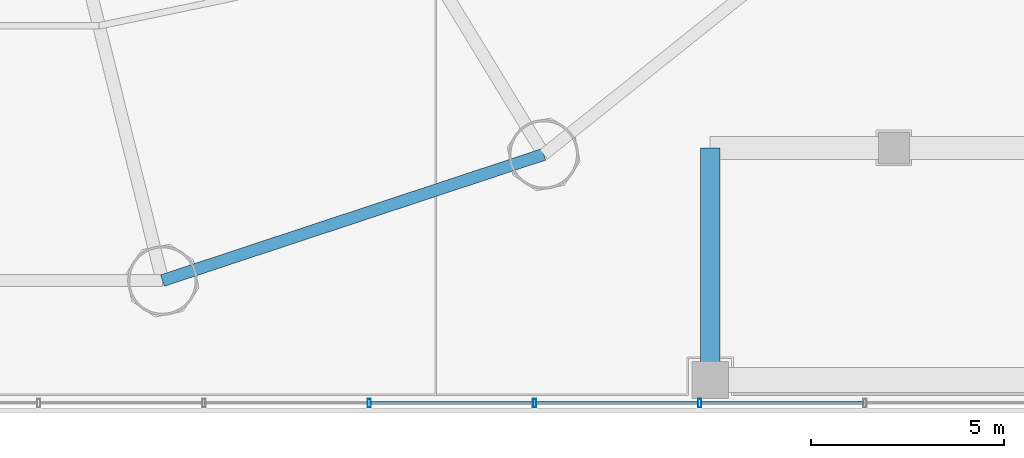
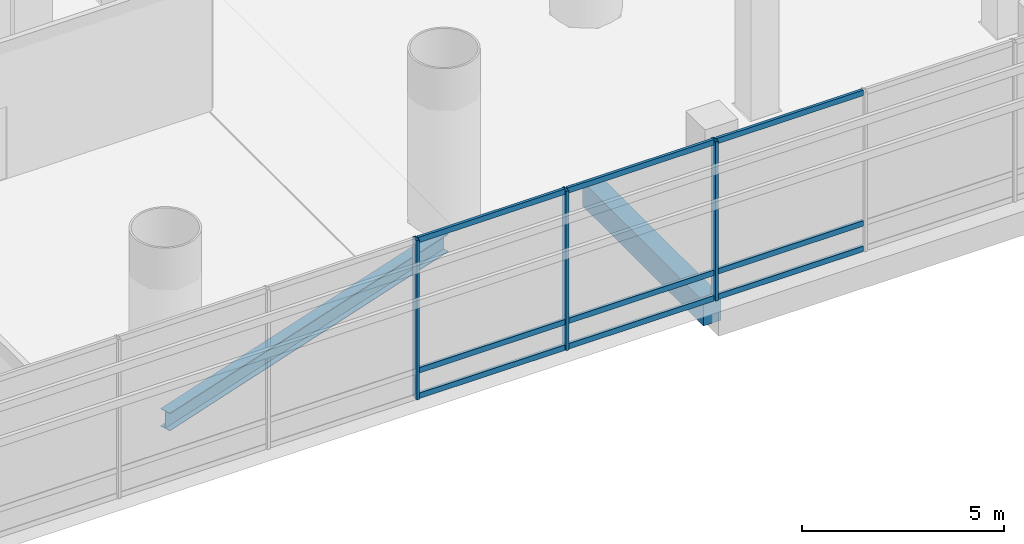
# One storey, part 8 of 31: 12 members, 2 beams, 1 element without a shape of its own.
"""IFC4 building model written with IfcOpenShell, lengths in metres."""

import ifcopenshell
import ifcopenshell.guid

model = None  # the IFC model being written
_history = None  # IfcOwnerHistory: only IFC2X3 demands one
_inside = {}  # id of a spatial element -> (the spatial element, [elements in it])
_under = {}  # id of a project, library or spatial element -> (it, [spatial elements below it])
_declared = {}  # id of a project -> (the project, [libraries it declares])
_typed = {}  # id of a type object -> (the type object, [elements of that type])
_made_of = {}  # id of a material, layer set ... -> (it, [elements and type objects made of it])


def new_model(schema):
    """Start an empty IFC model of exactly this schema.

    Asked for "IFC4X3", IfcOpenShell would pick the latest addendum, in which some entities
    have other attributes; the version numbers below select the first issue.
    IFC2X3 requires an IfcOwnerHistory on every rooted entity: one is made here for all.
    """
    global model, _history
    if schema == "IFC4X3":
        model = ifcopenshell.file(schema_version=(4, 3, 0, 0))
    else:
        model = ifcopenshell.file(schema=schema)
    _inside.clear()
    _under.clear()
    _declared.clear()
    _typed.clear()
    _made_of.clear()
    _history = None
    if model.schema == "IFC2X3":
        org = make("IfcOrganization", Name="unknown")
        user = make(
            "IfcPersonAndOrganization",
            ThePerson=make("IfcPerson", FamilyName="unknown"),
            TheOrganization=org,
        )
        app = make(
            "IfcApplication",
            ApplicationDeveloper=org,
            Version="unknown",
            ApplicationFullName="unknown",
            ApplicationIdentifier="unknown",
        )
        _history = make(
            "IfcOwnerHistory",
            OwningUser=user,
            OwningApplication=app,
            ChangeAction="ADDED",
            CreationDate=0,
        )
    return model


def make(cls, **values):
    """One entity of the class cls with the attributes given. An attribute that is None is left unset."""
    return model.create_entity(
        cls, **{name: value for name, value in values.items() if value is not None}
    )


def rooted(cls, **values):
    """An entity with a GlobalId (a new one), such as an element, a storey or a relation."""
    return make(cls, GlobalId=ifcopenshell.guid.new(), OwnerHistory=_history, **values)


def si_unit(unit_type, name, prefix=None):
    """IfcSIUnit, for example si_unit("LENGTHUNIT", "METRE", prefix="MILLI")."""
    return make("IfcSIUnit", UnitType=unit_type, Prefix=prefix, Name=name)


def assignment(units):
    """IfcUnitAssignment: the units of a project."""
    return None if units is None else make("IfcUnitAssignment", Units=units)


def point(xyz):
    """IfcCartesianPoint."""
    return None if xyz is None else make("IfcCartesianPoint", Coordinates=xyz)


def direction(xyz):
    """IfcDirection."""
    return None if xyz is None else make("IfcDirection", DirectionRatios=xyz)


def frame(location, z_axis=None, x_axis=None):
    """IfcAxis2Placement3D, a coordinate frame: its origin and axes. An axis left out is left unset."""
    return make(
        "IfcAxis2Placement3D",
        Location=point(location),
        Axis=direction(z_axis),
        RefDirection=direction(x_axis),
    )


def frame_2d(location, x_axis=None):
    """IfcAxis2Placement2D, a coordinate frame in the plane: its origin and x axis."""
    return make(
        "IfcAxis2Placement2D", Location=point(location), RefDirection=direction(x_axis)
    )


def origin():
    """The frame at (0, 0, 0) with its axes left unset."""
    return frame((0.0, 0.0, 0.0))


def origin_2d():
    """The frame at (0, 0) in the plane with its x axis left unset."""
    return frame_2d((0.0, 0.0))


def place(relative_to, where):
    """IfcLocalPlacement: puts the frame where relative to a parent placement (None: the world)."""
    return make(
        "IfcLocalPlacement", PlacementRelTo=relative_to, RelativePlacement=where
    )


def context(
    kind, dimensions, precision=None, world=None, true_north=None, identifier=None
):
    """IfcGeometricRepresentationContext, for example the 3D "Model" context."""
    return make(
        "IfcGeometricRepresentationContext",
        ContextIdentifier=identifier,
        ContextType=kind,
        CoordinateSpaceDimension=dimensions,
        Precision=precision,
        WorldCoordinateSystem=world,
        TrueNorth=true_north,
    )


def subcontext(parent, identifier, kind, view, scale=None):
    """IfcGeometricRepresentationSubContext, for example "Body" below "Model"."""
    return make(
        "IfcGeometricRepresentationSubContext",
        ContextIdentifier=identifier,
        ContextType=kind,
        ParentContext=parent,
        TargetScale=scale,
        TargetView=view,
    )


def project(units=None, contexts=None):
    """IfcProject with its units and contexts."""
    return rooted(
        "IfcProject",
        Name="project",
        RepresentationContexts=contexts,
        UnitsInContext=assignment(units),
    )


def spatial(cls, under=None, at=None, **own):
    """A site, building, storey or space (cls), placed at a placement, below another one or the project."""
    s = rooted(cls, ObjectPlacement=at, **own)
    if under is not None:
        _under.setdefault(under.id(), (under, []))[1].append(s)
    return s


def profile(cls, at=None, kind="AREA", **sizes):
    """A parametric profile (cls). Its sizes go by their IFC names, for example OverallWidth=200.0."""
    return make(cls, ProfileType=kind, Position=at, **sizes)


def rectangle(**sizes):
    """IfcRectangleProfileDef."""
    return profile("IfcRectangleProfileDef", **sizes)


def hollow_rectangle(**sizes):
    """IfcRectangleHollowProfileDef."""
    return profile("IfcRectangleHollowProfileDef", **sizes)


def i_section(**sizes):
    """IfcIShapeProfileDef."""
    return profile("IfcIShapeProfileDef", **sizes)


def extrude(swept, where, along, depth):
    """IfcExtrudedAreaSolid: the profile swept, set in the frame where, extruded along a direction by depth."""
    return make(
        "IfcExtrudedAreaSolid",
        SweptArea=swept,
        Position=where,
        ExtrudedDirection=direction(along),
        Depth=depth,
    )


def shape(context_of_items, identifier, shape_type, items):
    """IfcShapeRepresentation: the items that make up one representation, for example the "Body"."""
    return make(
        "IfcShapeRepresentation",
        ContextOfItems=context_of_items,
        RepresentationIdentifier=identifier,
        RepresentationType=shape_type,
        Items=items,
    )


def source(mapping_origin, context_of_items, identifier, shape_type, items):
    """IfcRepresentationMap: a shape defined once, which mapped items show again and again."""
    return make(
        "IfcRepresentationMap",
        MappingOrigin=mapping_origin,
        MappedRepresentation=shape(context_of_items, identifier, shape_type, items),
    )


def transform(
    local_origin,
    x_axis=None,
    y_axis=None,
    z_axis=None,
    scale=None,
    scale2=None,
    scale3=None,
    uniform=True,
):
    """IfcCartesianTransformationOperator3D, or its non-uniform kind. x_axis, y_axis, z_axis: its Axis1, 2, 3."""
    if uniform:
        return make(
            "IfcCartesianTransformationOperator3D",
            Axis1=direction(x_axis),
            Axis2=direction(y_axis),
            LocalOrigin=point(local_origin),
            Scale=scale,
            Axis3=direction(z_axis),
        )
    return make(
        "IfcCartesianTransformationOperator3DnonUniform",
        Axis1=direction(x_axis),
        Axis2=direction(y_axis),
        LocalOrigin=point(local_origin),
        Scale=scale,
        Axis3=direction(z_axis),
        Scale2=scale2,
        Scale3=scale3,
    )


def mapped(mapping_source, mapping_target):
    """IfcMappedItem: shows the shape of a source again, moved by a transform."""
    return make(
        "IfcMappedItem", MappingSource=mapping_source, MappingTarget=mapping_target
    )


def material(Name=None, Category=None):
    """IfcMaterial."""
    return make("IfcMaterial", Name=Name, Category=Category)


def material_profile(
    of_material, cross_section, Name=None, Category=None, Priority=None
):
    """IfcMaterialProfile: a cross section and its material."""
    return make(
        "IfcMaterialProfile",
        Name=Name,
        Material=of_material,
        Profile=cross_section,
        Priority=Priority,
        Category=Category,
    )


def profile_set(profiles, Name=None, composite=None):
    """IfcMaterialProfileSet."""
    return make(
        "IfcMaterialProfileSet",
        Name=Name,
        MaterialProfiles=profiles,
        CompositeProfile=composite,
    )


def made_of(thing, what):
    """Note that an element or type object is made of a material, layer set ...; save() writes the relation."""
    if what is not None:
        _made_of.setdefault(what.id(), (what, []))[1].append(thing)
    return thing


def type_object(cls, material=None, **own):
    """A type object (cls), such as IfcWallType, which elements share."""
    return made_of(rooted(cls, **own), material)


def element(
    cls,
    number,
    at=None,
    inside=None,
    cuts=None,
    type_object=None,
    material=None,
    context=None,
    identifier="Body",
    shape_type=None,
    held_by="IfcProductDefinitionShape",
    body=None,
    shapes=None,
    **own,
):
    """One element of the class cls, such as IfcWall. Its Tag is "e" and its number.

    at: its placement. inside: the storey or other place that contains it. cuts: it is an
    opening in that element (IfcRelVoidsElement). A single representation is given by context,
    identifier, shape_type and body (its items); several are given by shapes. held_by: the class
    of the entity that holds the representations. save() writes the other relations.
    """
    e = rooted(cls, Tag="e%d" % number, ObjectPlacement=at, **own)
    if body is not None:
        shapes = [shape(context, identifier, shape_type, body)]
    if shapes is not None:
        e.Representation = make(held_by, Representations=shapes)
    if inside is not None:
        _inside.setdefault(inside.id(), (inside, []))[1].append(e)
    if cuts is not None:
        rooted(
            "IfcRelVoidsElement", RelatingBuildingElement=cuts, RelatedOpeningElement=e
        )
    if type_object is not None:
        _typed.setdefault(type_object.id(), (type_object, []))[1].append(e)
    return made_of(e, material)


def aggregate(whole, parts):
    """IfcRelAggregates: a whole, such as a stair, and the parts it consists of."""
    return rooted("IfcRelAggregates", RelatingObject=whole, RelatedObjects=parts)


def save(model, path):
    """Write the relations noted so far, then the file.

    IfcRelAggregates (storeys below a building ...), IfcRelContainedInSpatialStructure (elements
    in a storey), IfcRelDefinesByType, IfcRelAssociatesMaterial and IfcRelDeclares: one each for
    every whole, place, type object, material and project.
    """
    for whole, parts in _under.values():
        aggregate(whole, parts)
    for where, things in _inside.values():
        rooted(
            "IfcRelContainedInSpatialStructure",
            RelatedElements=things,
            RelatingStructure=where,
        )
    for kind, things in _typed.values():
        rooted("IfcRelDefinesByType", RelatedObjects=things, RelatingType=kind)
    for what, things in _made_of.values():
        rooted("IfcRelAssociatesMaterial", RelatedObjects=things, RelatingMaterial=what)
    for by, libraries in _declared.values():
        rooted("IfcRelDeclares", RelatingContext=by, RelatedDefinitions=libraries)
    model.write(path)


model = new_model("IFC4")

# Units and contexts
model_context = context("Model", 3, precision=1e-05, world=origin(), true_north=direction((-0.2419218956, 0.970295726276)))
body_context = subcontext(model_context, "Body", "Model", "MODEL_VIEW")
ifc_project = project(units=[si_unit("LENGTHUNIT", "METRE"), si_unit("AREAUNIT", "SQUARE_METRE"), si_unit("VOLUMEUNIT", "CUBIC_METRE"), si_unit("PLANEANGLEUNIT", "RADIAN"), si_unit("MASSUNIT", "GRAM", prefix="KILO")], contexts=[model_context])

# Site, building, storey
site_placement = place(None, origin())
site = spatial("IfcSite", under=ifc_project, at=site_placement, CompositionType="ELEMENT")
building_placement = place(site_placement, origin())
building = spatial("IfcBuilding", under=site, at=building_placement, Name="Cobrevalo Terracotta Tower", CompositionType="ELEMENT")
storey_placement = place(building_placement, frame((0.0, 0.0, 18.89990234375)))
storey = spatial("IfcBuildingStorey", under=building, at=storey_placement, Name="L04", CompositionType="ELEMENT", Elevation=18.89990234375)

# Beams
ifc_material_1 = material(Name="Steel S355", Category="steel")
ifc_material_profile_1 = material_profile(ifc_material_1, i_section(OverallWidth=0.31201171875, OverallDepth=0.54296875, WebThickness=0.0126953125, FlangeThickness=0.020263671875, at=origin_2d()), Name="W 530x150")
ifc_profile_set_1 = profile_set([ifc_material_profile_1], Name="Steel S355")
beam_type_1 = type_object("IfcBeamType", Name="Structural Spandrel W 530x150 (Steel S355)", PredefinedType="SPANDREL", material=ifc_profile_set_1)
beam_1_placement = place(storey_placement, frame((43.335693359375, 5.369873046875, -0.721435546875), z_axis=(0.949372202648, 0.314153498848, 0.0), x_axis=(-0.314153498848, 0.949372202648, 0.0)))
element("IfcBeam", 1, at=beam_1_placement, inside=storey, type_object=beam_type_1, Name="L04 perimeter ring spandrel 13", PredefinedType="SPANDREL", context=body_context, shape_type="SweptSolid", body=[
    extrude(i_section(OverallWidth=0.31201171875, OverallDepth=0.54296875, WebThickness=0.0126953125, FlangeThickness=0.020263671875, at=origin_2d()), origin(), (0.0, 0.0, 1.0), 10.385009765625),
])
ifc_material_2 = material(Name="Concrete C50", Category="concrete")
ifc_material_profile_2 = material_profile(ifc_material_2, rectangle(XDim=0.5, YDim=0.75, at=origin_2d()), Name="RC BM 500x750")
ifc_profile_set_2 = profile_set([ifc_material_profile_2], Name="Concrete C50")
beam_type_2 = type_object("IfcBeamType", Name="Structural T Beam RC BM 500x750 (Concrete C50)", PredefinedType="T_BEAM", material=ifc_profile_set_2)
beam_2_placement = place(storey_placement, frame((57.5, 2.800048828125, -0.824951171875), z_axis=(0.0, 1.0, 0.0), x_axis=(-1.0, 0.0, 0.0)))
element("IfcBeam", 2, at=beam_2_placement, inside=storey, type_object=beam_type_2, Name="L04 podium grid beam G7-GA to G7-GB", PredefinedType="T_BEAM", context=body_context, shape_type="SweptSolid", body=[
    extrude(rectangle(XDim=0.5, YDim=0.75, at=origin_2d()), origin(), (0.0, 0.0, 1.0), 6.0),
])

# Curtain wall, members
ifc_material_3 = material(Name="Anodized aluminium", Category="aluminium")
curtain_wall_type = type_object("IfcCurtainWallType", Name="Podium gallery & conservatory curtain wall CW-S2", PredefinedType="NOTDEFINED", material=ifc_material_3)
curtain_wall_placement = place(storey_placement, origin())
curtain_wall = element("IfcCurtainWall", 3, at=curtain_wall_placement, inside=storey, type_object=curtain_wall_type, Name="L04 curtain wall CW-POD-L04-S", PredefinedType="NOTDEFINED")
ifc_material_profile_3 = material_profile(ifc_material_3, hollow_rectangle(XDim=0.080078125, YDim=0.1650390625, WallThickness=0.00439453125, at=origin_2d()), Name="CWT 80x165")
ifc_profile_set_3 = profile_set([ifc_material_profile_3], Name="Anodized aluminium")
member_type_1 = type_object("IfcMemberType", Name="Storefront & atrium aluminium transom 80x165", PredefinedType="USERDEFINED", material=ifc_profile_set_3)
shared_shape_1 = source(origin(), body_context, "Body", "SweptSolid", [
    extrude(hollow_rectangle(XDim=0.080078125, YDim=0.1650390625, WallThickness=0.00439453125, at=origin_2d()), origin(), (0.0, 0.0, 1.0), 4.193359375),
])
member_1_placement = place(storey_placement, frame((48.723388671875, 2.199951171875, 0.050048828125), z_axis=(1.0, 0.0, 0.0), x_axis=(0.0, 1.0, 0.0)))
member_1 = element("IfcMember", 4, at=member_1_placement, type_object=member_type_1, Name="CW-POD-L04-S transom B11-T1", ObjectType="TRANSOM", PredefinedType="USERDEFINED", context=body_context, shape_type="MappedRepresentation", body=[
    mapped(shared_shape_1, transform((0.0, 0.0, 0.0), scale=1.0)),
])
member_2_placement = place(storey_placement, frame((48.723388671875, 2.199951171875, 0.820068359375), z_axis=(1.0, 0.0, 0.0), x_axis=(0.0, 1.0, 0.0)))
member_2 = element("IfcMember", 5, at=member_2_placement, type_object=member_type_1, Name="CW-POD-L04-S transom B11-T2", ObjectType="TRANSOM", PredefinedType="USERDEFINED", context=body_context, shape_type="MappedRepresentation", body=[
    mapped(shared_shape_1, transform((0.0, 0.0, 0.0), scale=1.0)),
])
member_3_placement = place(storey_placement, frame((48.723388671875, 2.199951171875, 4.77001953125), z_axis=(1.0, 0.0, 0.0), x_axis=(0.0, 1.0, 0.0)))
member_3 = element("IfcMember", 6, at=member_3_placement, type_object=member_type_1, Name="CW-POD-L04-S transom B11-T3", ObjectType="TRANSOM", PredefinedType="USERDEFINED", context=body_context, shape_type="MappedRepresentation", body=[
    mapped(shared_shape_1, transform((0.0, 0.0, 0.0), scale=1.0)),
])
member_4_placement = place(storey_placement, frame((52.99658203125, 2.199951171875, 0.050048828125), z_axis=(1.0, 0.0, 0.0), x_axis=(0.0, 1.0, 0.0)))
member_4 = element("IfcMember", 7, at=member_4_placement, type_object=member_type_1, Name="CW-POD-L04-S transom B12-T1", ObjectType="TRANSOM", PredefinedType="USERDEFINED", context=body_context, shape_type="MappedRepresentation", body=[
    mapped(shared_shape_1, transform((0.0, 0.0, 0.0), scale=1.0)),
])
member_5_placement = place(storey_placement, frame((52.99658203125, 2.199951171875, 0.820068359375), z_axis=(1.0, 0.0, 0.0), x_axis=(0.0, 1.0, 0.0)))
member_5 = element("IfcMember", 8, at=member_5_placement, type_object=member_type_1, Name="CW-POD-L04-S transom B12-T2", ObjectType="TRANSOM", PredefinedType="USERDEFINED", context=body_context, shape_type="MappedRepresentation", body=[
    mapped(shared_shape_1, transform((0.0, 0.0, 0.0), scale=1.0)),
])
member_6_placement = place(storey_placement, frame((52.99658203125, 2.199951171875, 4.77001953125), z_axis=(1.0, 0.0, 0.0), x_axis=(0.0, 1.0, 0.0)))
member_6 = element("IfcMember", 9, at=member_6_placement, type_object=member_type_1, Name="CW-POD-L04-S transom B12-T3", ObjectType="TRANSOM", PredefinedType="USERDEFINED", context=body_context, shape_type="MappedRepresentation", body=[
    mapped(shared_shape_1, transform((0.0, 0.0, 0.0), scale=1.0)),
])
member_7_placement = place(storey_placement, frame((57.27001953125, 2.199951171875, 0.050048828125), z_axis=(1.0, 0.0, 0.0), x_axis=(0.0, 1.0, 0.0)))
member_7 = element("IfcMember", 10, at=member_7_placement, type_object=member_type_1, Name="CW-POD-L04-S transom B13-T1", ObjectType="TRANSOM", PredefinedType="USERDEFINED", context=body_context, shape_type="MappedRepresentation", body=[
    mapped(shared_shape_1, transform((0.0, 0.0, 0.0), scale=1.0)),
])
member_8_placement = place(storey_placement, frame((57.27001953125, 2.199951171875, 0.820068359375), z_axis=(1.0, 0.0, 0.0), x_axis=(0.0, 1.0, 0.0)))
member_8 = element("IfcMember", 11, at=member_8_placement, type_object=member_type_1, Name="CW-POD-L04-S transom B13-T2", ObjectType="TRANSOM", PredefinedType="USERDEFINED", context=body_context, shape_type="MappedRepresentation", body=[
    mapped(shared_shape_1, transform((0.0, 0.0, 0.0), scale=1.0)),
])
member_9_placement = place(storey_placement, frame((57.27001953125, 2.199951171875, 4.77001953125), z_axis=(1.0, 0.0, 0.0), x_axis=(0.0, 1.0, 0.0)))
member_9 = element("IfcMember", 12, at=member_9_placement, type_object=member_type_1, Name="CW-POD-L04-S transom B13-T3", ObjectType="TRANSOM", PredefinedType="USERDEFINED", context=body_context, shape_type="MappedRepresentation", body=[
    mapped(shared_shape_1, transform((0.0, 0.0, 0.0), scale=1.0)),
])
ifc_material_profile_4 = material_profile(ifc_material_3, hollow_rectangle(XDim=0.080078125, YDim=0.219970703125, WallThickness=0.0048828125, at=origin_2d()), Name="CWM 80x220")
ifc_profile_set_4 = profile_set([ifc_material_profile_4], Name="Anodized aluminium")
member_type_2 = type_object("IfcMemberType", Name="Storefront & atrium aluminium mullion 80x220", PredefinedType="MULLION", material=ifc_profile_set_4)
shared_shape_2 = source(origin(), body_context, "Body", "SweptSolid", [
    extrude(hollow_rectangle(XDim=0.080078125, YDim=0.219970703125, WallThickness=0.0048828125, at=origin_2d()), origin(), (0.0, 0.0, 1.0), 4.820068359375),
])
member_10_placement = place(storey_placement, frame((48.683349609375, 2.199951171875, 0.0), z_axis=(0.0, 0.0, 1.0), x_axis=(1.0, 0.0, 0.0)))
member_10 = element("IfcMember", 13, at=member_10_placement, type_object=member_type_2, Name="CW-POD-L04-S vertical mullion 11", PredefinedType="MULLION", context=body_context, shape_type="MappedRepresentation", body=[
    mapped(shared_shape_2, transform((0.0, 0.0, 0.0), scale=1.0)),
])
member_11_placement = place(storey_placement, frame((52.956787109375, 2.199951171875, 0.0), z_axis=(0.0, 0.0, 1.0), x_axis=(1.0, 0.0, 0.0)))
member_11 = element("IfcMember", 14, at=member_11_placement, type_object=member_type_2, Name="CW-POD-L04-S vertical mullion 12", PredefinedType="MULLION", context=body_context, shape_type="MappedRepresentation", body=[
    mapped(shared_shape_2, transform((0.0, 0.0, 0.0), scale=1.0)),
])
member_12_placement = place(storey_placement, frame((57.22998046875, 2.199951171875, 0.0), z_axis=(0.0, 0.0, 1.0), x_axis=(1.0, 0.0, 0.0)))
member_12 = element("IfcMember", 15, at=member_12_placement, type_object=member_type_2, Name="CW-POD-L04-S vertical mullion 13", PredefinedType="MULLION", context=body_context, shape_type="MappedRepresentation", body=[
    mapped(shared_shape_2, transform((0.0, 0.0, 0.0), scale=1.0)),
])
aggregate(curtain_wall, [member_10, member_11, member_12, member_1, member_2, member_3, member_4, member_5, member_6, member_7, member_8, member_9])

save(model, "model.ifc")
